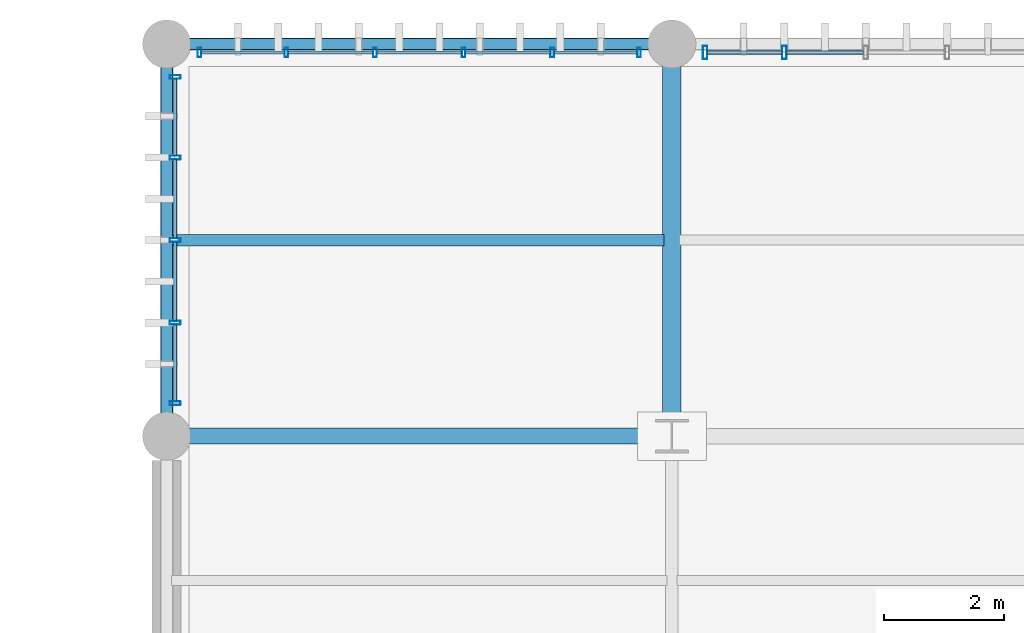
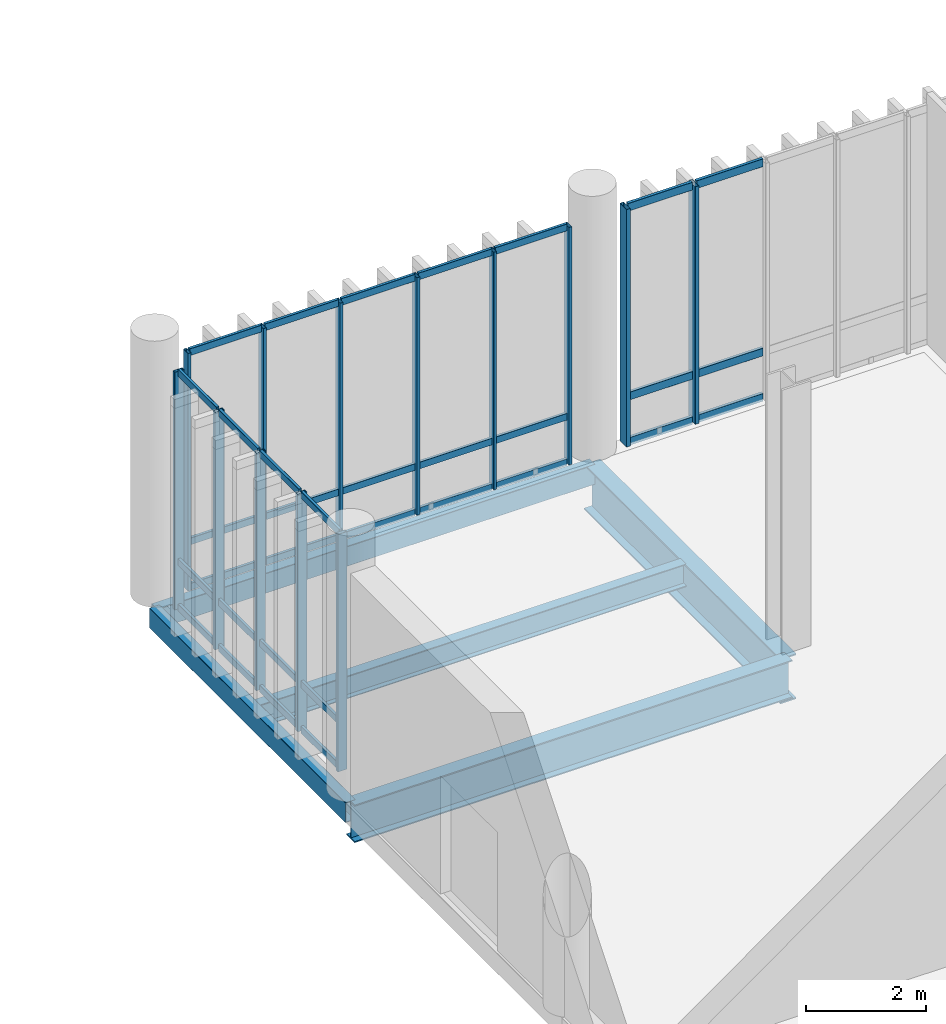
# One storey, part 70 of 112: 46 members, 5 beams, 3 elements without a shape of their own.
"""IFC4 building model written with IfcOpenShell, lengths in metres."""

from ifc_helpers import new_model, si_unit, direction, frame, origin_with_axes, origin_2d_with_axis, place, context, subcontext, project, spatial, hollow_rectangle, i_section, extrude, material, material_profile, profile_set, type_object, element, aggregate, save


model = new_model("IFC4")

# Units and contexts
model_context = context("Model", 3, precision=1e-05, world=origin_with_axes(), true_north=direction((0.0, 1.0)))
body_context = subcontext(model_context, "Body", "Model", "MODEL_VIEW")
ifc_project = project(units=[si_unit("LENGTHUNIT", "METRE"), si_unit("AREAUNIT", "SQUARE_METRE"), si_unit("VOLUMEUNIT", "CUBIC_METRE"), si_unit("PLANEANGLEUNIT", "RADIAN"), si_unit("MASSUNIT", "GRAM", prefix="KILO"), si_unit("THERMODYNAMICTEMPERATUREUNIT", "KELVIN")], contexts=[model_context])

# Site, building, storey
site_placement = place(None, origin_with_axes())
site = spatial("IfcSite", under=ifc_project, at=site_placement, CompositionType="ELEMENT")
building_placement = place(site_placement, origin_with_axes())
building = spatial("IfcBuilding", under=site, at=building_placement, Name="Montbau Bow Law Courts", CompositionType="ELEMENT")
storey_placement = place(building_placement, origin_with_axes())
storey = spatial("IfcBuildingStorey", under=building, at=storey_placement, Name="L00", CompositionType="ELEMENT", Elevation=0.0)

# Beams
ifc_material_1 = material(Name="Steel CSA G40.21 Grade 350W (350 MPa)", Category="steel")
ifc_material_profile_1 = material_profile(ifc_material_1, i_section(OverallWidth=0.306, OverallDepth=0.919, WebThickness=0.0173, FlangeThickness=0.0279, at=origin_2d_with_axis()), Name="W920X253", Category="Main", Priority=0)
ifc_profile_set_1 = profile_set([ifc_material_profile_1], Name="Steel CSA G40.21 Grade 350W (350 MPa)")
beam_type_1 = type_object("IfcBeamType", Name="B-FLR-01", PredefinedType="BEAM", material=ifc_profile_set_1)
beam_1_placement = place(None, frame((147.0, 110.4, -0.72), z_axis=(0.0, 1.0, 0.0), x_axis=(-1.0, 0.0, 0.0)))
element("IfcBeam", 1, at=beam_1_placement, inside=storey, type_object=beam_type_1, Name="BM-L00-S0444:bm2_0447", PredefinedType="BEAM", context=body_context, shape_type="SweptSolid", body=[
    extrude(i_section(OverallWidth=0.306, OverallDepth=0.919, WebThickness=0.0173, FlangeThickness=0.0279, at=origin_2d_with_axis()), origin_with_axes(), (0.0, 0.0, 1.0), 6.52),
])
ifc_material_profile_2 = material_profile(ifc_material_1, i_section(OverallWidth=0.267, OverallDepth=0.766, WebThickness=0.0149, FlangeThickness=0.0236, at=origin_2d_with_axis()), Name="W760X185", Category="Main", Priority=0)
ifc_profile_set_2 = profile_set([ifc_material_profile_2], Name="Steel CSA G40.21 Grade 350W (350 MPa)")
beam_type_2 = type_object("IfcBeamType", Name="B-FLR-03", PredefinedType="BEAM", material=ifc_profile_set_2)
beam_2_placement = place(None, frame((138.6, 110.4, -0.643), z_axis=(1.0, 0.0, 0.0), x_axis=(0.0, 1.0, 0.0)))
element("IfcBeam", 2, at=beam_2_placement, inside=storey, type_object=beam_type_2, Name="BM-L00-S0423:bm2_0426", PredefinedType="BEAM", context=body_context, shape_type="SweptSolid", body=[
    extrude(i_section(OverallWidth=0.267, OverallDepth=0.766, WebThickness=0.0149, FlangeThickness=0.0236, at=origin_2d_with_axis()), origin_with_axes(), (0.0, 0.0, 1.0), 8.4),
])
ifc_material_profile_3 = material_profile(ifc_material_1, i_section(OverallWidth=0.191, OverallDepth=0.46, WebThickness=0.0099, FlangeThickness=0.016, at=origin_2d_with_axis()), Name="W460X82", Category="Main", Priority=0)
ifc_profile_set_3 = profile_set([ifc_material_profile_3], Name="Steel CSA G40.21 Grade 350W (350 MPa)")
beam_type_3 = type_object("IfcBeamType", Name="B-JST-01", PredefinedType="JOIST", material=ifc_profile_set_3)
beam_3_placement = place(None, frame((138.68, 113.66, -0.49), z_axis=(1.0, 0.0, 0.0), x_axis=(0.0, 1.0, 0.0)))
element("IfcBeam", 3, at=beam_3_placement, inside=storey, type_object=beam_type_3, Name="JST-L00-S0192:jst2_0192", PredefinedType="JOIST", context=body_context, shape_type="SweptSolid", body=[
    extrude(i_section(OverallWidth=0.191, OverallDepth=0.46, WebThickness=0.0099, FlangeThickness=0.016, at=origin_2d_with_axis()), origin_with_axes(), (0.0, 0.0, 1.0), 8.191),
])
ifc_material_2 = material(Name="Steel CSA G40.21 Grade 350WT (350 MPa)", Category="steel")
ifc_material_profile_4 = material_profile(ifc_material_2, hollow_rectangle(XDim=0.203, YDim=0.406, WallThickness=0.0127, InnerFilletRadius=0.0254, OuterFilletRadius=0.0127, at=origin_2d_with_axis()), Name="HSS406X203X13", Category="Main", Priority=0)
ifc_profile_set_4 = profile_set([ifc_material_profile_4], Name="Steel CSA G40.21 Grade 350WT (350 MPa)")
beam_type_4 = type_object("IfcBeamType", Name="B-SPN-01", PredefinedType="SPANDREL", material=ifc_profile_set_4)
beam_4_placement = place(None, frame((138.6, 116.92, -0.463), z_axis=(1.0, 0.0, 0.0), x_axis=(0.0, 1.0, 0.0)))
element("IfcBeam", 4, at=beam_4_placement, inside=storey, type_object=beam_type_4, Name="SPN-L00-S0427:bm2_0430", PredefinedType="SPANDREL", context=body_context, shape_type="SweptSolid", body=[
    extrude(hollow_rectangle(XDim=0.203, YDim=0.406, WallThickness=0.0127, InnerFilletRadius=0.0254, OuterFilletRadius=0.0127, at=origin_2d_with_axis()), origin_with_axes(), (0.0, 0.0, 1.0), 8.4),
])
beam_5_placement = place(None, frame((138.6, 110.4, -0.463), z_axis=(0.0, 1.0, 0.0), x_axis=(-1.0, 0.0, 0.0)))
element("IfcBeam", 5, at=beam_5_placement, inside=storey, type_object=beam_type_4, Name="SPN-L00-S0437:bm2_0440", PredefinedType="SPANDREL", context=body_context, shape_type="SweptSolid", body=[
    extrude(hollow_rectangle(XDim=0.203, YDim=0.406, WallThickness=0.0127, InnerFilletRadius=0.0254, OuterFilletRadius=0.0127, at=origin_2d_with_axis()), origin_with_axes(), (0.0, 0.0, 1.0), 6.52),
])

# Curtain wall, members
ifc_material_3 = material(Name="Thermally Broken Extruded Aluminium AA 6063-T6", Category="aluminium")
curtain_wall_type = type_object("IfcCurtainWallType", Name="CW-SLT-01", PredefinedType="NOTDEFINED", material=ifc_material_3)
curtain_wall_1_placement = place(None, frame((147.515, 116.78, 0.0), z_axis=(0.0, 0.0, 1.0), x_axis=(1.0, 0.0, 0.0)))
curtain_wall_1 = element("IfcCurtainWall", 6, at=curtain_wall_1_placement, inside=storey, type_object=curtain_wall_type, Name="CW-L00-264:cw_0264", PredefinedType="NOTDEFINED")
ifc_material_profile_5 = material_profile(ifc_material_3, hollow_rectangle(XDim=0.075, YDim=0.22, WallThickness=0.005, InnerFilletRadius=0.01, OuterFilletRadius=0.005, at=origin_2d_with_axis()), Name="CWM-220X75", Category="Main", Priority=0)
ifc_profile_set_5 = profile_set([ifc_material_profile_5], Name="Thermally Broken Extruded Aluminium AA 6063-T6")
member_type_1 = type_object("IfcMemberType", Name="M-MUL-01", PredefinedType="MULLION", material=ifc_profile_set_5)
member_1_placement = place(None, frame((147.552, 116.78, 0.0), z_axis=(0.0, 0.0, 1.0), x_axis=(1.0, 0.0, 0.0)))
member_1 = element("IfcMember", 7, at=member_1_placement, type_object=member_type_1, Name="CW-L00-264-M01:cw_0264_M01", PredefinedType="MULLION", context=body_context, shape_type="SweptSolid", body=[
    extrude(hollow_rectangle(XDim=0.075, YDim=0.22, WallThickness=0.005, InnerFilletRadius=0.01, OuterFilletRadius=0.005, at=origin_2d_with_axis()), origin_with_axes(), (0.0, 0.0, 1.0), 4.82),
])
member_2_placement = place(None, frame((148.869, 116.78, 0.0), z_axis=(0.0, 0.0, 1.0), x_axis=(1.0, 0.0, 0.0)))
member_2 = element("IfcMember", 8, at=member_2_placement, type_object=member_type_1, Name="CW-L00-264-M02:cw_0264_M02", PredefinedType="MULLION", context=body_context, shape_type="SweptSolid", body=[
    extrude(hollow_rectangle(XDim=0.075, YDim=0.22, WallThickness=0.005, InnerFilletRadius=0.01, OuterFilletRadius=0.005, at=origin_2d_with_axis()), origin_with_axes(), (0.0, 0.0, 1.0), 4.82),
])

curtain_wall_2_placement = place(None, frame((138.74, 110.915, 0.0), z_axis=(0.0, 0.0, 1.0), x_axis=(1.0, 0.0, 0.0)))
curtain_wall_2 = element("IfcCurtainWall", 9, at=curtain_wall_2_placement, inside=storey, type_object=curtain_wall_type, Name="CW-L00-271:cw_0271", PredefinedType="NOTDEFINED")
ifc_material_profile_6 = material_profile(ifc_material_3, hollow_rectangle(XDim=0.065, YDim=0.18, WallThickness=0.005, InnerFilletRadius=0.01, OuterFilletRadius=0.005, at=origin_2d_with_axis()), Name="CWM-180X65", Category="Main", Priority=0)
ifc_profile_set_6 = profile_set([ifc_material_profile_6], Name="Thermally Broken Extruded Aluminium AA 6063-T6")
member_type_2 = type_object("IfcMemberType", Name="M-MUL-02", PredefinedType="MULLION", material=ifc_profile_set_6)
member_3_placement = place(None, frame((138.74, 110.948, 0.0), z_axis=(0.0, 0.0, 1.0), x_axis=(0.0, 1.0, 0.0)))
member_3 = element("IfcMember", 10, at=member_3_placement, type_object=member_type_2, Name="CW-L00-271-M01:cw_0271_M01", PredefinedType="MULLION", context=body_context, shape_type="SweptSolid", body=[
    extrude(hollow_rectangle(XDim=0.065, YDim=0.18, WallThickness=0.005, InnerFilletRadius=0.01, OuterFilletRadius=0.005, at=origin_2d_with_axis()), origin_with_axes(), (0.0, 0.0, 1.0), 4.82),
])
member_4_placement = place(None, frame((138.74, 112.287, 0.0), z_axis=(0.0, 0.0, 1.0), x_axis=(0.0, 1.0, 0.0)))
member_4 = element("IfcMember", 11, at=member_4_placement, type_object=member_type_2, Name="CW-L00-271-M02:cw_0271_M02", PredefinedType="MULLION", context=body_context, shape_type="SweptSolid", body=[
    extrude(hollow_rectangle(XDim=0.065, YDim=0.18, WallThickness=0.005, InnerFilletRadius=0.01, OuterFilletRadius=0.005, at=origin_2d_with_axis()), origin_with_axes(), (0.0, 0.0, 1.0), 4.82),
])
member_5_placement = place(None, frame((138.74, 113.66, 0.0), z_axis=(0.0, 0.0, 1.0), x_axis=(0.0, 1.0, 0.0)))
member_5 = element("IfcMember", 12, at=member_5_placement, type_object=member_type_2, Name="CW-L00-271-M03:cw_0271_M03", PredefinedType="MULLION", context=body_context, shape_type="SweptSolid", body=[
    extrude(hollow_rectangle(XDim=0.065, YDim=0.18, WallThickness=0.005, InnerFilletRadius=0.01, OuterFilletRadius=0.005, at=origin_2d_with_axis()), origin_with_axes(), (0.0, 0.0, 1.0), 4.82),
])
member_6_placement = place(None, frame((138.74, 115.032, 0.0), z_axis=(0.0, 0.0, 1.0), x_axis=(0.0, 1.0, 0.0)))
member_6 = element("IfcMember", 13, at=member_6_placement, type_object=member_type_2, Name="CW-L00-271-M04:cw_0271_M04", PredefinedType="MULLION", context=body_context, shape_type="SweptSolid", body=[
    extrude(hollow_rectangle(XDim=0.065, YDim=0.18, WallThickness=0.005, InnerFilletRadius=0.01, OuterFilletRadius=0.005, at=origin_2d_with_axis()), origin_with_axes(), (0.0, 0.0, 1.0), 4.82),
])
member_7_placement = place(None, frame((138.74, 116.372, 0.0), z_axis=(0.0, 0.0, 1.0), x_axis=(0.0, 1.0, 0.0)))
member_7 = element("IfcMember", 14, at=member_7_placement, type_object=member_type_2, Name="CW-L00-271-M05:cw_0271_M05", PredefinedType="MULLION", context=body_context, shape_type="SweptSolid", body=[
    extrude(hollow_rectangle(XDim=0.065, YDim=0.18, WallThickness=0.005, InnerFilletRadius=0.01, OuterFilletRadius=0.005, at=origin_2d_with_axis()), origin_with_axes(), (0.0, 0.0, 1.0), 4.82),
])

curtain_wall_3_placement = place(None, frame((139.115, 116.78, 0.0), z_axis=(0.0, 0.0, 1.0), x_axis=(1.0, 0.0, 0.0)))
curtain_wall_3 = element("IfcCurtainWall", 15, at=curtain_wall_3_placement, inside=storey, type_object=curtain_wall_type, Name="CW-L00-263:cw_0263", PredefinedType="NOTDEFINED")
ifc_material_profile_7 = material_profile(ifc_material_3, hollow_rectangle(XDim=0.06, YDim=0.16, WallThickness=0.004, InnerFilletRadius=0.008, OuterFilletRadius=0.004, at=origin_2d_with_axis()), Name="CWM-160X60", Category="Main", Priority=0)
ifc_profile_set_7 = profile_set([ifc_material_profile_7], Name="Thermally Broken Extruded Aluminium AA 6063-T6")
member_type_3 = type_object("IfcMemberType", Name="M-MUL-03", PredefinedType="MULLION", material=ifc_profile_set_7)
member_8_placement = place(None, frame((139.145, 116.78, 0.0), z_axis=(0.0, 0.0, 1.0), x_axis=(1.0, 0.0, 0.0)))
member_8 = element("IfcMember", 16, at=member_8_placement, type_object=member_type_3, Name="CW-L00-263-M01:cw_0263_M01", PredefinedType="MULLION", context=body_context, shape_type="SweptSolid", body=[
    extrude(hollow_rectangle(XDim=0.06, YDim=0.16, WallThickness=0.004, InnerFilletRadius=0.008, OuterFilletRadius=0.004, at=origin_2d_with_axis()), origin_with_axes(), (0.0, 0.0, 1.0), 4.82),
])
member_9_placement = place(None, frame((140.589, 116.78, 0.0), z_axis=(0.0, 0.0, 1.0), x_axis=(1.0, 0.0, 0.0)))
member_9 = element("IfcMember", 17, at=member_9_placement, type_object=member_type_3, Name="CW-L00-263-M02:cw_0263_M02", PredefinedType="MULLION", context=body_context, shape_type="SweptSolid", body=[
    extrude(hollow_rectangle(XDim=0.06, YDim=0.16, WallThickness=0.004, InnerFilletRadius=0.008, OuterFilletRadius=0.004, at=origin_2d_with_axis()), origin_with_axes(), (0.0, 0.0, 1.0), 4.82),
])
member_10_placement = place(None, frame((142.063, 116.78, 0.0), z_axis=(0.0, 0.0, 1.0), x_axis=(1.0, 0.0, 0.0)))
member_10 = element("IfcMember", 18, at=member_10_placement, type_object=member_type_3, Name="CW-L00-263-M03:cw_0263_M03", PredefinedType="MULLION", context=body_context, shape_type="SweptSolid", body=[
    extrude(hollow_rectangle(XDim=0.06, YDim=0.16, WallThickness=0.004, InnerFilletRadius=0.008, OuterFilletRadius=0.004, at=origin_2d_with_axis()), origin_with_axes(), (0.0, 0.0, 1.0), 4.82),
])
member_11_placement = place(None, frame((143.537, 116.78, 0.0), z_axis=(0.0, 0.0, 1.0), x_axis=(1.0, 0.0, 0.0)))
member_11 = element("IfcMember", 19, at=member_11_placement, type_object=member_type_3, Name="CW-L00-263-M04:cw_0263_M04", PredefinedType="MULLION", context=body_context, shape_type="SweptSolid", body=[
    extrude(hollow_rectangle(XDim=0.06, YDim=0.16, WallThickness=0.004, InnerFilletRadius=0.008, OuterFilletRadius=0.004, at=origin_2d_with_axis()), origin_with_axes(), (0.0, 0.0, 1.0), 4.82),
])
member_12_placement = place(None, frame((145.011, 116.78, 0.0), z_axis=(0.0, 0.0, 1.0), x_axis=(1.0, 0.0, 0.0)))
member_12 = element("IfcMember", 20, at=member_12_placement, type_object=member_type_3, Name="CW-L00-263-M05:cw_0263_M05", PredefinedType="MULLION", context=body_context, shape_type="SweptSolid", body=[
    extrude(hollow_rectangle(XDim=0.06, YDim=0.16, WallThickness=0.004, InnerFilletRadius=0.008, OuterFilletRadius=0.004, at=origin_2d_with_axis()), origin_with_axes(), (0.0, 0.0, 1.0), 4.82),
])
member_13_placement = place(None, frame((146.455, 116.78, 0.0), z_axis=(0.0, 0.0, 1.0), x_axis=(1.0, 0.0, 0.0)))
member_13 = element("IfcMember", 21, at=member_13_placement, type_object=member_type_3, Name="CW-L00-263-M06:cw_0263_M06", PredefinedType="MULLION", context=body_context, shape_type="SweptSolid", body=[
    extrude(hollow_rectangle(XDim=0.06, YDim=0.16, WallThickness=0.004, InnerFilletRadius=0.008, OuterFilletRadius=0.004, at=origin_2d_with_axis()), origin_with_axes(), (0.0, 0.0, 1.0), 4.82),
])

# Member
ifc_material_profile_8 = material_profile(ifc_material_3, hollow_rectangle(XDim=0.06, YDim=0.16, WallThickness=0.004, InnerFilletRadius=0.008, OuterFilletRadius=0.004, at=origin_2d_with_axis()), Name="CWT-160X60", Category="Main", Priority=0)
ifc_profile_set_8 = profile_set([ifc_material_profile_8], Name="Thermally Broken Extruded Aluminium AA 6063-T6")
member_type_4 = type_object("IfcMemberType", Name="M-TRN-01", PredefinedType="USERDEFINED", material=ifc_profile_set_8)
member_14_placement = place(None, frame((147.591, 116.78, 0.03), z_axis=(1.0, 0.0, 0.0), x_axis=(0.0, 1.0, 0.0)))
member_14 = element("IfcMember", 22, at=member_14_placement, type_object=member_type_4, Name="CW-L00-264-T01-1:cw_0264_T01_1", ObjectType="TRANSOM", PredefinedType="USERDEFINED", context=body_context, shape_type="SweptSolid", body=[
    extrude(hollow_rectangle(XDim=0.06, YDim=0.16, WallThickness=0.004, InnerFilletRadius=0.008, OuterFilletRadius=0.004, at=origin_2d_with_axis()), origin_with_axes(), (0.0, 0.0, 1.0), 1.239),
])

member_15_placement = place(None, frame((147.591, 116.78, 0.95), z_axis=(1.0, 0.0, 0.0), x_axis=(0.0, 1.0, 0.0)))
member_15 = element("IfcMember", 23, at=member_15_placement, type_object=member_type_4, Name="CW-L00-264-T01-2:cw_0264_T01_2", ObjectType="TRANSOM", PredefinedType="USERDEFINED", context=body_context, shape_type="SweptSolid", body=[
    extrude(hollow_rectangle(XDim=0.06, YDim=0.16, WallThickness=0.004, InnerFilletRadius=0.008, OuterFilletRadius=0.004, at=origin_2d_with_axis()), origin_with_axes(), (0.0, 0.0, 1.0), 1.239),
])

member_16_placement = place(None, frame((147.591, 116.78, 4.79), z_axis=(1.0, 0.0, 0.0), x_axis=(0.0, 1.0, 0.0)))
member_16 = element("IfcMember", 24, at=member_16_placement, type_object=member_type_4, Name="CW-L00-264-T01-3:cw_0264_T01_3", ObjectType="TRANSOM", PredefinedType="USERDEFINED", context=body_context, shape_type="SweptSolid", body=[
    extrude(hollow_rectangle(XDim=0.06, YDim=0.16, WallThickness=0.004, InnerFilletRadius=0.008, OuterFilletRadius=0.004, at=origin_2d_with_axis()), origin_with_axes(), (0.0, 0.0, 1.0), 1.239),
])

member_17_placement = place(None, frame((148.909, 116.78, 0.03), z_axis=(1.0, 0.0, 0.0), x_axis=(0.0, 1.0, 0.0)))
member_17 = element("IfcMember", 25, at=member_17_placement, type_object=member_type_4, Name="CW-L00-264-T02-1:cw_0264_T02_1", ObjectType="TRANSOM", PredefinedType="USERDEFINED", context=body_context, shape_type="SweptSolid", body=[
    extrude(hollow_rectangle(XDim=0.06, YDim=0.16, WallThickness=0.004, InnerFilletRadius=0.008, OuterFilletRadius=0.004, at=origin_2d_with_axis()), origin_with_axes(), (0.0, 0.0, 1.0), 1.275),
])

member_18_placement = place(None, frame((148.909, 116.78, 0.95), z_axis=(1.0, 0.0, 0.0), x_axis=(0.0, 1.0, 0.0)))
member_18 = element("IfcMember", 26, at=member_18_placement, type_object=member_type_4, Name="CW-L00-264-T02-2:cw_0264_T02_2", ObjectType="TRANSOM", PredefinedType="USERDEFINED", context=body_context, shape_type="SweptSolid", body=[
    extrude(hollow_rectangle(XDim=0.06, YDim=0.16, WallThickness=0.004, InnerFilletRadius=0.008, OuterFilletRadius=0.004, at=origin_2d_with_axis()), origin_with_axes(), (0.0, 0.0, 1.0), 1.275),
])

member_19_placement = place(None, frame((148.909, 116.78, 4.79), z_axis=(1.0, 0.0, 0.0), x_axis=(0.0, 1.0, 0.0)))
member_19 = element("IfcMember", 27, at=member_19_placement, type_object=member_type_4, Name="CW-L00-264-T02-3:cw_0264_T02_3", ObjectType="TRANSOM", PredefinedType="USERDEFINED", context=body_context, shape_type="SweptSolid", body=[
    extrude(hollow_rectangle(XDim=0.06, YDim=0.16, WallThickness=0.004, InnerFilletRadius=0.008, OuterFilletRadius=0.004, at=origin_2d_with_axis()), origin_with_axes(), (0.0, 0.0, 1.0), 1.275),
])

aggregate(curtain_wall_1, [member_1, member_2, member_14, member_15, member_16, member_17, member_18, member_19])

ifc_material_profile_9 = material_profile(ifc_material_3, hollow_rectangle(XDim=0.055, YDim=0.14, WallThickness=0.004, InnerFilletRadius=0.008, OuterFilletRadius=0.004, at=origin_2d_with_axis()), Name="CWT-140X55", Category="Main", Priority=0)
ifc_profile_set_9 = profile_set([ifc_material_profile_9], Name="Thermally Broken Extruded Aluminium AA 6063-T6")
member_type_5 = type_object("IfcMemberType", Name="M-TRN-02", PredefinedType="USERDEFINED", material=ifc_profile_set_9)
member_20_placement = place(None, frame((139.177, 116.78, 0.028), z_axis=(1.0, 0.0, 0.0), x_axis=(0.0, 1.0, 0.0)))
member_20 = element("IfcMember", 28, at=member_20_placement, type_object=member_type_5, Name="CW-L00-263-T01-1:cw_0263_T01_1", ObjectType="TRANSOM", PredefinedType="USERDEFINED", context=body_context, shape_type="SweptSolid", body=[
    extrude(hollow_rectangle(XDim=0.055, YDim=0.14, WallThickness=0.004, InnerFilletRadius=0.008, OuterFilletRadius=0.004, at=origin_2d_with_axis()), origin_with_axes(), (0.0, 0.0, 1.0), 1.38),
])

member_21_placement = place(None, frame((139.177, 116.78, 0.95), z_axis=(1.0, 0.0, 0.0), x_axis=(0.0, 1.0, 0.0)))
member_21 = element("IfcMember", 29, at=member_21_placement, type_object=member_type_5, Name="CW-L00-263-T01-2:cw_0263_T01_2", ObjectType="TRANSOM", PredefinedType="USERDEFINED", context=body_context, shape_type="SweptSolid", body=[
    extrude(hollow_rectangle(XDim=0.055, YDim=0.14, WallThickness=0.004, InnerFilletRadius=0.008, OuterFilletRadius=0.004, at=origin_2d_with_axis()), origin_with_axes(), (0.0, 0.0, 1.0), 1.38),
])

member_22_placement = place(None, frame((139.177, 116.78, 4.793), z_axis=(1.0, 0.0, 0.0), x_axis=(0.0, 1.0, 0.0)))
member_22 = element("IfcMember", 30, at=member_22_placement, type_object=member_type_5, Name="CW-L00-263-T01-3:cw_0263_T01_3", ObjectType="TRANSOM", PredefinedType="USERDEFINED", context=body_context, shape_type="SweptSolid", body=[
    extrude(hollow_rectangle(XDim=0.055, YDim=0.14, WallThickness=0.004, InnerFilletRadius=0.008, OuterFilletRadius=0.004, at=origin_2d_with_axis()), origin_with_axes(), (0.0, 0.0, 1.0), 1.38),
])

member_23_placement = place(None, frame((140.621, 116.78, 0.028), z_axis=(1.0, 0.0, 0.0), x_axis=(0.0, 1.0, 0.0)))
member_23 = element("IfcMember", 31, at=member_23_placement, type_object=member_type_5, Name="CW-L00-263-T02-1:cw_0263_T02_1", ObjectType="TRANSOM", PredefinedType="USERDEFINED", context=body_context, shape_type="SweptSolid", body=[
    extrude(hollow_rectangle(XDim=0.055, YDim=0.14, WallThickness=0.004, InnerFilletRadius=0.008, OuterFilletRadius=0.004, at=origin_2d_with_axis()), origin_with_axes(), (0.0, 0.0, 1.0), 1.41),
])

member_24_placement = place(None, frame((140.621, 116.78, 0.95), z_axis=(1.0, 0.0, 0.0), x_axis=(0.0, 1.0, 0.0)))
member_24 = element("IfcMember", 32, at=member_24_placement, type_object=member_type_5, Name="CW-L00-263-T02-2:cw_0263_T02_2", ObjectType="TRANSOM", PredefinedType="USERDEFINED", context=body_context, shape_type="SweptSolid", body=[
    extrude(hollow_rectangle(XDim=0.055, YDim=0.14, WallThickness=0.004, InnerFilletRadius=0.008, OuterFilletRadius=0.004, at=origin_2d_with_axis()), origin_with_axes(), (0.0, 0.0, 1.0), 1.41),
])

member_25_placement = place(None, frame((140.621, 116.78, 4.793), z_axis=(1.0, 0.0, 0.0), x_axis=(0.0, 1.0, 0.0)))
member_25 = element("IfcMember", 33, at=member_25_placement, type_object=member_type_5, Name="CW-L00-263-T02-3:cw_0263_T02_3", ObjectType="TRANSOM", PredefinedType="USERDEFINED", context=body_context, shape_type="SweptSolid", body=[
    extrude(hollow_rectangle(XDim=0.055, YDim=0.14, WallThickness=0.004, InnerFilletRadius=0.008, OuterFilletRadius=0.004, at=origin_2d_with_axis()), origin_with_axes(), (0.0, 0.0, 1.0), 1.41),
])

member_26_placement = place(None, frame((142.095, 116.78, 0.028), z_axis=(1.0, 0.0, 0.0), x_axis=(0.0, 1.0, 0.0)))
member_26 = element("IfcMember", 34, at=member_26_placement, type_object=member_type_5, Name="CW-L00-263-T03-1:cw_0263_T03_1", ObjectType="TRANSOM", PredefinedType="USERDEFINED", context=body_context, shape_type="SweptSolid", body=[
    extrude(hollow_rectangle(XDim=0.055, YDim=0.14, WallThickness=0.004, InnerFilletRadius=0.008, OuterFilletRadius=0.004, at=origin_2d_with_axis()), origin_with_axes(), (0.0, 0.0, 1.0), 1.41),
])

member_27_placement = place(None, frame((142.095, 116.78, 0.95), z_axis=(1.0, 0.0, 0.0), x_axis=(0.0, 1.0, 0.0)))
member_27 = element("IfcMember", 35, at=member_27_placement, type_object=member_type_5, Name="CW-L00-263-T03-2:cw_0263_T03_2", ObjectType="TRANSOM", PredefinedType="USERDEFINED", context=body_context, shape_type="SweptSolid", body=[
    extrude(hollow_rectangle(XDim=0.055, YDim=0.14, WallThickness=0.004, InnerFilletRadius=0.008, OuterFilletRadius=0.004, at=origin_2d_with_axis()), origin_with_axes(), (0.0, 0.0, 1.0), 1.41),
])

member_28_placement = place(None, frame((142.095, 116.78, 4.793), z_axis=(1.0, 0.0, 0.0), x_axis=(0.0, 1.0, 0.0)))
member_28 = element("IfcMember", 36, at=member_28_placement, type_object=member_type_5, Name="CW-L00-263-T03-3:cw_0263_T03_3", ObjectType="TRANSOM", PredefinedType="USERDEFINED", context=body_context, shape_type="SweptSolid", body=[
    extrude(hollow_rectangle(XDim=0.055, YDim=0.14, WallThickness=0.004, InnerFilletRadius=0.008, OuterFilletRadius=0.004, at=origin_2d_with_axis()), origin_with_axes(), (0.0, 0.0, 1.0), 1.41),
])

member_29_placement = place(None, frame((143.569, 116.78, 0.028), z_axis=(1.0, 0.0, 0.0), x_axis=(0.0, 1.0, 0.0)))
member_29 = element("IfcMember", 37, at=member_29_placement, type_object=member_type_5, Name="CW-L00-263-T04-1:cw_0263_T04_1", ObjectType="TRANSOM", PredefinedType="USERDEFINED", context=body_context, shape_type="SweptSolid", body=[
    extrude(hollow_rectangle(XDim=0.055, YDim=0.14, WallThickness=0.004, InnerFilletRadius=0.008, OuterFilletRadius=0.004, at=origin_2d_with_axis()), origin_with_axes(), (0.0, 0.0, 1.0), 1.41),
])

member_30_placement = place(None, frame((143.569, 116.78, 0.95), z_axis=(1.0, 0.0, 0.0), x_axis=(0.0, 1.0, 0.0)))
member_30 = element("IfcMember", 38, at=member_30_placement, type_object=member_type_5, Name="CW-L00-263-T04-2:cw_0263_T04_2", ObjectType="TRANSOM", PredefinedType="USERDEFINED", context=body_context, shape_type="SweptSolid", body=[
    extrude(hollow_rectangle(XDim=0.055, YDim=0.14, WallThickness=0.004, InnerFilletRadius=0.008, OuterFilletRadius=0.004, at=origin_2d_with_axis()), origin_with_axes(), (0.0, 0.0, 1.0), 1.41),
])

member_31_placement = place(None, frame((143.569, 116.78, 4.793), z_axis=(1.0, 0.0, 0.0), x_axis=(0.0, 1.0, 0.0)))
member_31 = element("IfcMember", 39, at=member_31_placement, type_object=member_type_5, Name="CW-L00-263-T04-3:cw_0263_T04_3", ObjectType="TRANSOM", PredefinedType="USERDEFINED", context=body_context, shape_type="SweptSolid", body=[
    extrude(hollow_rectangle(XDim=0.055, YDim=0.14, WallThickness=0.004, InnerFilletRadius=0.008, OuterFilletRadius=0.004, at=origin_2d_with_axis()), origin_with_axes(), (0.0, 0.0, 1.0), 1.41),
])

member_32_placement = place(None, frame((145.043, 116.78, 0.028), z_axis=(1.0, 0.0, 0.0), x_axis=(0.0, 1.0, 0.0)))
member_32 = element("IfcMember", 40, at=member_32_placement, type_object=member_type_5, Name="CW-L00-263-T05-1:cw_0263_T05_1", ObjectType="TRANSOM", PredefinedType="USERDEFINED", context=body_context, shape_type="SweptSolid", body=[
    extrude(hollow_rectangle(XDim=0.055, YDim=0.14, WallThickness=0.004, InnerFilletRadius=0.008, OuterFilletRadius=0.004, at=origin_2d_with_axis()), origin_with_axes(), (0.0, 0.0, 1.0), 1.38),
])

member_33_placement = place(None, frame((145.043, 116.78, 0.95), z_axis=(1.0, 0.0, 0.0), x_axis=(0.0, 1.0, 0.0)))
member_33 = element("IfcMember", 41, at=member_33_placement, type_object=member_type_5, Name="CW-L00-263-T05-2:cw_0263_T05_2", ObjectType="TRANSOM", PredefinedType="USERDEFINED", context=body_context, shape_type="SweptSolid", body=[
    extrude(hollow_rectangle(XDim=0.055, YDim=0.14, WallThickness=0.004, InnerFilletRadius=0.008, OuterFilletRadius=0.004, at=origin_2d_with_axis()), origin_with_axes(), (0.0, 0.0, 1.0), 1.38),
])

member_34_placement = place(None, frame((145.043, 116.78, 4.793), z_axis=(1.0, 0.0, 0.0), x_axis=(0.0, 1.0, 0.0)))
member_34 = element("IfcMember", 42, at=member_34_placement, type_object=member_type_5, Name="CW-L00-263-T05-3:cw_0263_T05_3", ObjectType="TRANSOM", PredefinedType="USERDEFINED", context=body_context, shape_type="SweptSolid", body=[
    extrude(hollow_rectangle(XDim=0.055, YDim=0.14, WallThickness=0.004, InnerFilletRadius=0.008, OuterFilletRadius=0.004, at=origin_2d_with_axis()), origin_with_axes(), (0.0, 0.0, 1.0), 1.38),
])

aggregate(curtain_wall_3, [member_8, member_9, member_10, member_11, member_12, member_13, member_20, member_21, member_22, member_23, member_24, member_25, member_26, member_27, member_28, member_29, member_30, member_31, member_32, member_33, member_34])

member_35_placement = place(None, frame((138.74, 110.983, 0.028), z_axis=(0.0, 1.0, 0.0), x_axis=(-1.0, 0.0, 0.0)))
member_35 = element("IfcMember", 43, at=member_35_placement, type_object=member_type_5, Name="CW-L00-271-T01-1:cw_0271_T01_1", ObjectType="TRANSOM", PredefinedType="USERDEFINED", context=body_context, shape_type="SweptSolid", body=[
    extrude(hollow_rectangle(XDim=0.055, YDim=0.14, WallThickness=0.004, InnerFilletRadius=0.008, OuterFilletRadius=0.004, at=origin_2d_with_axis()), origin_with_axes(), (0.0, 0.0, 1.0), 1.27),
])

member_36_placement = place(None, frame((138.74, 110.983, 0.95), z_axis=(0.0, 1.0, 0.0), x_axis=(-1.0, 0.0, 0.0)))
member_36 = element("IfcMember", 44, at=member_36_placement, type_object=member_type_5, Name="CW-L00-271-T01-2:cw_0271_T01_2", ObjectType="TRANSOM", PredefinedType="USERDEFINED", context=body_context, shape_type="SweptSolid", body=[
    extrude(hollow_rectangle(XDim=0.055, YDim=0.14, WallThickness=0.004, InnerFilletRadius=0.008, OuterFilletRadius=0.004, at=origin_2d_with_axis()), origin_with_axes(), (0.0, 0.0, 1.0), 1.27),
])

member_37_placement = place(None, frame((138.74, 110.983, 4.793), z_axis=(0.0, 1.0, 0.0), x_axis=(-1.0, 0.0, 0.0)))
member_37 = element("IfcMember", 45, at=member_37_placement, type_object=member_type_5, Name="CW-L00-271-T01-3:cw_0271_T01_3", ObjectType="TRANSOM", PredefinedType="USERDEFINED", context=body_context, shape_type="SweptSolid", body=[
    extrude(hollow_rectangle(XDim=0.055, YDim=0.14, WallThickness=0.004, InnerFilletRadius=0.008, OuterFilletRadius=0.004, at=origin_2d_with_axis()), origin_with_axes(), (0.0, 0.0, 1.0), 1.27),
])

member_38_placement = place(None, frame((138.74, 112.322, 0.028), z_axis=(0.0, 1.0, 0.0), x_axis=(-1.0, 0.0, 0.0)))
member_38 = element("IfcMember", 46, at=member_38_placement, type_object=member_type_5, Name="CW-L00-271-T02-1:cw_0271_T02_1", ObjectType="TRANSOM", PredefinedType="USERDEFINED", context=body_context, shape_type="SweptSolid", body=[
    extrude(hollow_rectangle(XDim=0.055, YDim=0.14, WallThickness=0.004, InnerFilletRadius=0.008, OuterFilletRadius=0.004, at=origin_2d_with_axis()), origin_with_axes(), (0.0, 0.0, 1.0), 1.304),
])

member_39_placement = place(None, frame((138.74, 112.322, 0.95), z_axis=(0.0, 1.0, 0.0), x_axis=(-1.0, 0.0, 0.0)))
member_39 = element("IfcMember", 47, at=member_39_placement, type_object=member_type_5, Name="CW-L00-271-T02-2:cw_0271_T02_2", ObjectType="TRANSOM", PredefinedType="USERDEFINED", context=body_context, shape_type="SweptSolid", body=[
    extrude(hollow_rectangle(XDim=0.055, YDim=0.14, WallThickness=0.004, InnerFilletRadius=0.008, OuterFilletRadius=0.004, at=origin_2d_with_axis()), origin_with_axes(), (0.0, 0.0, 1.0), 1.304),
])

member_40_placement = place(None, frame((138.74, 112.322, 4.793), z_axis=(0.0, 1.0, 0.0), x_axis=(-1.0, 0.0, 0.0)))
member_40 = element("IfcMember", 48, at=member_40_placement, type_object=member_type_5, Name="CW-L00-271-T02-3:cw_0271_T02_3", ObjectType="TRANSOM", PredefinedType="USERDEFINED", context=body_context, shape_type="SweptSolid", body=[
    extrude(hollow_rectangle(XDim=0.055, YDim=0.14, WallThickness=0.004, InnerFilletRadius=0.008, OuterFilletRadius=0.004, at=origin_2d_with_axis()), origin_with_axes(), (0.0, 0.0, 1.0), 1.304),
])

member_41_placement = place(None, frame((138.74, 113.695, 0.028), z_axis=(0.0, 1.0, 0.0), x_axis=(-1.0, 0.0, 0.0)))
member_41 = element("IfcMember", 49, at=member_41_placement, type_object=member_type_5, Name="CW-L00-271-T03-1:cw_0271_T03_1", ObjectType="TRANSOM", PredefinedType="USERDEFINED", context=body_context, shape_type="SweptSolid", body=[
    extrude(hollow_rectangle(XDim=0.055, YDim=0.14, WallThickness=0.004, InnerFilletRadius=0.008, OuterFilletRadius=0.004, at=origin_2d_with_axis()), origin_with_axes(), (0.0, 0.0, 1.0), 1.303),
])

member_42_placement = place(None, frame((138.74, 113.695, 0.95), z_axis=(0.0, 1.0, 0.0), x_axis=(-1.0, 0.0, 0.0)))
member_42 = element("IfcMember", 50, at=member_42_placement, type_object=member_type_5, Name="CW-L00-271-T03-2:cw_0271_T03_2", ObjectType="TRANSOM", PredefinedType="USERDEFINED", context=body_context, shape_type="SweptSolid", body=[
    extrude(hollow_rectangle(XDim=0.055, YDim=0.14, WallThickness=0.004, InnerFilletRadius=0.008, OuterFilletRadius=0.004, at=origin_2d_with_axis()), origin_with_axes(), (0.0, 0.0, 1.0), 1.303),
])

member_43_placement = place(None, frame((138.74, 113.695, 4.793), z_axis=(0.0, 1.0, 0.0), x_axis=(-1.0, 0.0, 0.0)))
member_43 = element("IfcMember", 51, at=member_43_placement, type_object=member_type_5, Name="CW-L00-271-T03-3:cw_0271_T03_3", ObjectType="TRANSOM", PredefinedType="USERDEFINED", context=body_context, shape_type="SweptSolid", body=[
    extrude(hollow_rectangle(XDim=0.055, YDim=0.14, WallThickness=0.004, InnerFilletRadius=0.008, OuterFilletRadius=0.004, at=origin_2d_with_axis()), origin_with_axes(), (0.0, 0.0, 1.0), 1.303),
])

member_44_placement = place(None, frame((138.74, 115.066, 0.028), z_axis=(0.0, 1.0, 0.0), x_axis=(-1.0, 0.0, 0.0)))
member_44 = element("IfcMember", 52, at=member_44_placement, type_object=member_type_5, Name="CW-L00-271-T04-1:cw_0271_T04_1", ObjectType="TRANSOM", PredefinedType="USERDEFINED", context=body_context, shape_type="SweptSolid", body=[
    extrude(hollow_rectangle(XDim=0.055, YDim=0.14, WallThickness=0.004, InnerFilletRadius=0.008, OuterFilletRadius=0.004, at=origin_2d_with_axis()), origin_with_axes(), (0.0, 0.0, 1.0), 1.272),
])

member_45_placement = place(None, frame((138.74, 115.066, 0.95), z_axis=(0.0, 1.0, 0.0), x_axis=(-1.0, 0.0, 0.0)))
member_45 = element("IfcMember", 53, at=member_45_placement, type_object=member_type_5, Name="CW-L00-271-T04-2:cw_0271_T04_2", ObjectType="TRANSOM", PredefinedType="USERDEFINED", context=body_context, shape_type="SweptSolid", body=[
    extrude(hollow_rectangle(XDim=0.055, YDim=0.14, WallThickness=0.004, InnerFilletRadius=0.008, OuterFilletRadius=0.004, at=origin_2d_with_axis()), origin_with_axes(), (0.0, 0.0, 1.0), 1.272),
])

member_46_placement = place(None, frame((138.74, 115.066, 4.793), z_axis=(0.0, 1.0, 0.0), x_axis=(-1.0, 0.0, 0.0)))
member_46 = element("IfcMember", 54, at=member_46_placement, type_object=member_type_5, Name="CW-L00-271-T04-3:cw_0271_T04_3", ObjectType="TRANSOM", PredefinedType="USERDEFINED", context=body_context, shape_type="SweptSolid", body=[
    extrude(hollow_rectangle(XDim=0.055, YDim=0.14, WallThickness=0.004, InnerFilletRadius=0.008, OuterFilletRadius=0.004, at=origin_2d_with_axis()), origin_with_axes(), (0.0, 0.0, 1.0), 1.272),
])

aggregate(curtain_wall_2, [member_3, member_4, member_5, member_6, member_7, member_35, member_36, member_37, member_38, member_39, member_40, member_41, member_42, member_43, member_44, member_45, member_46])

save(model, "model.ifc")
